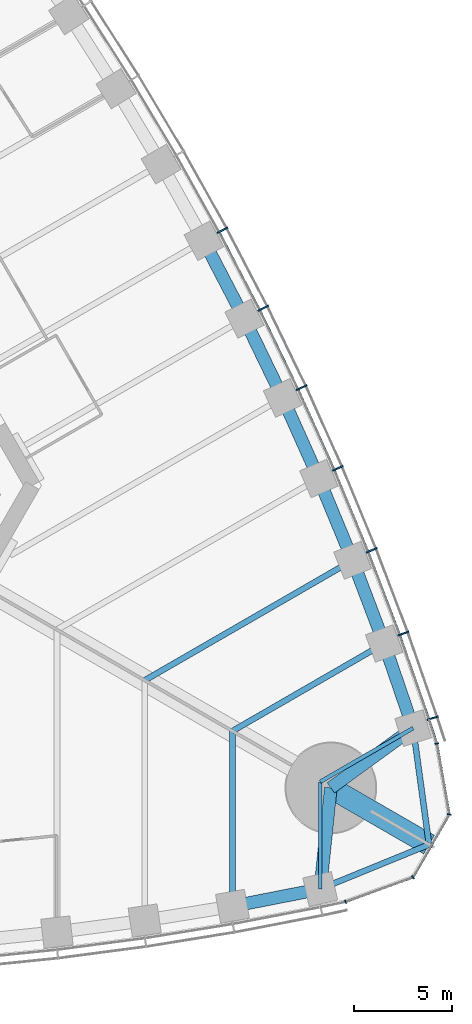
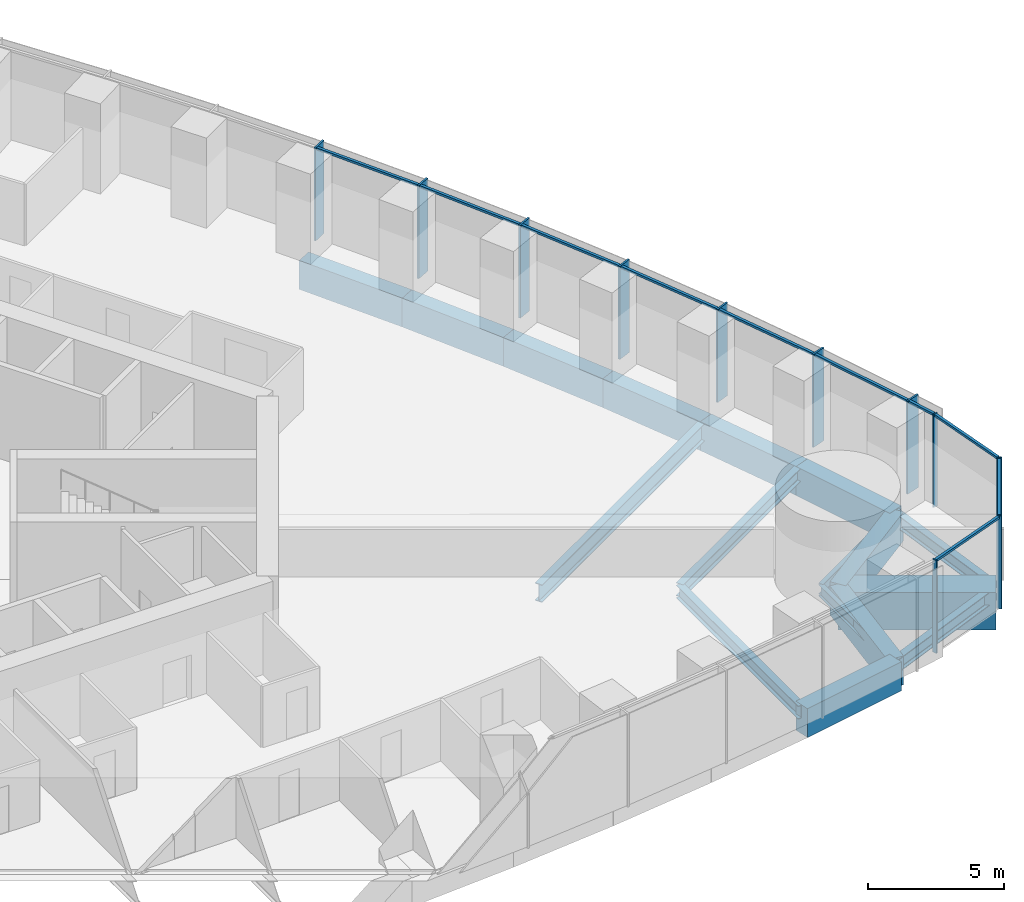
# One storey, part 6 of 18: 21 members, 17 beams, 2 elements without a shape of their own.
"""IFC4 building model written with IfcOpenShell, lengths in metres."""

from ifc_helpers import new_model, si_unit, direction, frame, origin, origin_2d, place, context, subcontext, project, spatial, rectangle, i_section, extrude, material, material_profile, profile_set, type_object, element, aggregate, save


model = new_model("IFC4")

# Units and contexts
model_context = context("Model", 3, precision=1e-05, world=origin(), true_north=direction((0.0, 1.0)))
body_context = subcontext(model_context, "Body", "Model", "MODEL_VIEW")
ifc_project = project(units=[si_unit("LENGTHUNIT", "METRE"), si_unit("AREAUNIT", "SQUARE_METRE"), si_unit("VOLUMEUNIT", "CUBIC_METRE"), si_unit("PLANEANGLEUNIT", "RADIAN"), si_unit("MASSUNIT", "GRAM", prefix="KILO")], contexts=[model_context])

# Site, building, storey
site_placement = place(None, origin())
site = spatial("IfcSite", under=ifc_project, at=site_placement, CompositionType="ELEMENT")
building_placement = place(site_placement, origin())
building = spatial("IfcBuilding", under=site, at=building_placement, Name="Trefoil Bronze Tower", CompositionType="ELEMENT")
storey_placement = place(building_placement, frame((0.0, 0.0, 24.89990234375)))
storey = spatial("IfcBuildingStorey", under=building, at=storey_placement, Name="L05", CompositionType="ELEMENT", Elevation=24.89990234375)

# Curtain wall, members
ifc_material_1 = material(Name="Tinted solar-control glass", Category="glass")
curtain_wall_type_1 = type_object("IfcCurtainWallType", Name="Bronze office curtain wall", PredefinedType="USERDEFINED", material=ifc_material_1)
curtain_wall_1_placement = place(storey_placement, origin())
curtain_wall_1 = element("IfcCurtainWall", 1, at=curtain_wall_1_placement, inside=storey, type_object=curtain_wall_type_1, Name="CW-A L05 F2", ObjectType="CURTAIN WALL", PredefinedType="USERDEFINED")
ifc_material_2 = material(Name="Bronze-finish aluminium", Category="aluminium")
ifc_material_profile_1 = material_profile(ifc_material_2, rectangle(XDim=0.60009765625, YDim=0.080078125, at=origin_2d()), Name="CW-A mullion")
ifc_profile_set_1 = profile_set([ifc_material_profile_1], Name="Bronze-finish aluminium")
member_type_1 = type_object("IfcMemberType", Name="Bronze office curtain wall mullion", PredefinedType="MULLION", material=ifc_profile_set_1)
member_1_placement = place(storey_placement, frame((37.265869140625, -14.92626953125, 0.0), z_axis=(0.0, 0.0, 1.0), x_axis=(-0.947850592929, -0.318715003543, 0.0)))
member_1 = element("IfcMember", 2, at=member_1_placement, type_object=member_type_1, Name="CW-A L05 F2 mullion 2", PredefinedType="MULLION", context=body_context, shape_type="SweptSolid", body=[
    extrude(rectangle(XDim=0.60009765625, YDim=0.080078125, at=origin_2d()), origin(), (0.0, 0.0, 1.0), 4.18017578125),
])
member_2_placement = place(storey_placement, frame((35.761962890625, -10.590087890625, 0.0), z_axis=(0.0, 0.0, 1.0), x_axis=(-0.939860248316, -0.341559238839, 0.0)))
member_2 = element("IfcMember", 3, at=member_2_placement, type_object=member_type_1, Name="CW-A L05 F2 mullion 3", PredefinedType="MULLION", context=body_context, shape_type="SweptSolid", body=[
    extrude(rectangle(XDim=0.60009765625, YDim=0.080078125, at=origin_2d()), origin(), (0.0, 0.0, 1.0), 4.18017578125),
])
member_3_placement = place(storey_placement, frame((34.138916015625, -6.32080078125, 0.0), z_axis=(0.0, 0.0, 1.0), x_axis=(-0.929413605838, -0.369039766534, 0.0)))
member_3 = element("IfcMember", 4, at=member_3_placement, type_object=member_type_1, Name="CW-A L05 F2 mullion 4", PredefinedType="MULLION", context=body_context, shape_type="SweptSolid", body=[
    extrude(rectangle(XDim=0.60009765625, YDim=0.080078125, at=origin_2d()), origin(), (0.0, 0.0, 1.0), 4.18017578125),
])
member_4_placement = place(storey_placement, frame((32.39892578125, -2.119384765625, 0.0), z_axis=(0.0, 0.0, 1.0), x_axis=(-0.918213748442, -0.396085233469, 0.0)))
member_4 = element("IfcMember", 5, at=member_4_placement, type_object=member_type_1, Name="CW-A L05 F2 mullion 5", PredefinedType="MULLION", context=body_context, shape_type="SweptSolid", body=[
    extrude(rectangle(XDim=0.60009765625, YDim=0.080078125, at=origin_2d()), origin(), (0.0, 0.0, 1.0), 4.18017578125),
])
member_5_placement = place(storey_placement, frame((30.543212890625, 2.015380859375, 0.0), z_axis=(0.0, 0.0, 1.0), x_axis=(-0.906269346572, -0.422700687798, 0.0)))
member_5 = element("IfcMember", 6, at=member_5_placement, type_object=member_type_1, Name="CW-A L05 F2 mullion 6", PredefinedType="MULLION", context=body_context, shape_type="SweptSolid", body=[
    extrude(rectangle(XDim=0.60009765625, YDim=0.080078125, at=origin_2d()), origin(), (0.0, 0.0, 1.0), 4.18017578125),
])
member_6_placement = place(storey_placement, frame((28.57275390625, 6.084228515625, 0.0), z_axis=(0.0, 0.0, 1.0), x_axis=(-0.893587025891, -0.448889994497, 0.0)))
member_6 = element("IfcMember", 7, at=member_6_placement, type_object=member_type_1, Name="CW-A L05 F2 mullion 7", PredefinedType="MULLION", context=body_context, shape_type="SweptSolid", body=[
    extrude(rectangle(XDim=0.60009765625, YDim=0.080078125, at=origin_2d()), origin(), (0.0, 0.0, 1.0), 4.18017578125),
])
member_7_placement = place(storey_placement, frame((26.488525390625, 10.0869140625, 0.0), z_axis=(0.0, 0.0, 1.0), x_axis=(-0.880171454588, -0.474655886437, 0.0)))
member_7 = element("IfcMember", 8, at=member_7_placement, type_object=member_type_1, Name="CW-A L05 F2 mullion 8", PredefinedType="MULLION", context=body_context, shape_type="SweptSolid", body=[
    extrude(rectangle(XDim=0.60009765625, YDim=0.080078125, at=origin_2d()), origin(), (0.0, 0.0, 1.0), 4.18017578125),
])
ifc_material_3 = material(Name="Bronze-finish aluminium", Category="aluminium")
ifc_material_profile_2 = material_profile(ifc_material_3, rectangle(XDim=0.1201171875, YDim=0.10009765625, at=origin_2d()), Name="CW-A transom")
ifc_profile_set_2 = profile_set([ifc_material_profile_2], Name="Bronze-finish aluminium")
member_type_2 = type_object("IfcMemberType", Name="Bronze office curtain wall transom", PredefinedType="USERDEFINED", material=ifc_profile_set_2)
member_8_placement = place(storey_placement, frame((37.4638671875, -16.1796875, 4.130126953125), z_axis=(-0.309624219148, 0.950859002648, 0.0), x_axis=(-0.950859002648, -0.309624219148, 0.0)))
member_8 = element("IfcMember", 9, at=member_8_placement, type_object=member_type_2, Name="CW-A L05 F2 transom 1", ObjectType="TRANSOM", PredefinedType="USERDEFINED", context=body_context, shape_type="SweptSolid", body=[
    extrude(rectangle(XDim=0.1201171875, YDim=0.10009765625, at=origin_2d()), origin(), (0.0, 0.0, 1.0), 1.21044921875),
])
member_9_placement = place(storey_placement, frame((37.06298828125, -14.951171875, 4.130126953125), z_axis=(-0.327689728493, 0.944785394595, 0.0), x_axis=(-0.944785394595, -0.327689728493, 0.0)))
member_9 = element("IfcMember", 10, at=member_9_placement, type_object=member_type_2, Name="CW-A L05 F2 transom 2", ObjectType="TRANSOM", PredefinedType="USERDEFINED", context=body_context, shape_type="SweptSolid", body=[
    extrude(rectangle(XDim=0.1201171875, YDim=0.10009765625, at=origin_2d()), origin(), (0.0, 0.0, 1.0), 4.502197265625),
])
member_10_placement = place(storey_placement, frame((35.559326171875, -10.61962890625, 4.130126953125), z_axis=(-0.355367327392, 0.934726731522, 0.0), x_axis=(-0.934726731522, -0.355367327392, 0.0)))
member_10 = element("IfcMember", 11, at=member_10_placement, type_object=member_type_2, Name="CW-A L05 F2 transom 3", ObjectType="TRANSOM", PredefinedType="USERDEFINED", context=body_context, shape_type="SweptSolid", body=[
    extrude(rectangle(XDim=0.1201171875, YDim=0.10009765625, at=origin_2d()), origin(), (0.0, 0.0, 1.0), 4.478515625),
])
member_11_placement = place(storey_placement, frame((33.937255859375, -6.3564453125, 4.130126953125), z_axis=(-0.382616149417, 0.923907399151, 0.0), x_axis=(-0.923907399151, -0.382616149417, 0.0)))
member_11 = element("IfcMember", 12, at=member_11_placement, type_object=member_type_2, Name="CW-A L05 F2 transom 4", ObjectType="TRANSOM", PredefinedType="USERDEFINED", context=body_context, shape_type="SweptSolid", body=[
    extrude(rectangle(XDim=0.1201171875, YDim=0.10009765625, at=origin_2d()), origin(), (0.0, 0.0, 1.0), 4.458984375),
])
member_12_placement = place(storey_placement, frame((32.1982421875, -2.16064453125, 4.130126953125), z_axis=(-0.409459746452, 0.912328184392, 0.0), x_axis=(-0.912328184392, -0.409459746452, 0.0)))
member_12 = element("IfcMember", 13, at=member_12_placement, type_object=member_type_2, Name="CW-A L05 F2 transom 5", ObjectType="TRANSOM", PredefinedType="USERDEFINED", context=body_context, shape_type="SweptSolid", body=[
    extrude(rectangle(XDim=0.1201171875, YDim=0.10009765625, at=origin_2d()), origin(), (0.0, 0.0, 1.0), 4.443359375),
])
member_13_placement = place(storey_placement, frame((30.34375, 1.96826171875, 4.130126953125), z_axis=(-0.435851763293, 0.900018466719, 0.0), x_axis=(-0.900018466719, -0.435851763293, 0.0)))
member_13 = element("IfcMember", 14, at=member_13_placement, type_object=member_type_2, Name="CW-A L05 F2 transom 6", ObjectType="TRANSOM", PredefinedType="USERDEFINED", context=body_context, shape_type="SweptSolid", body=[
    extrude(rectangle(XDim=0.1201171875, YDim=0.10009765625, at=origin_2d()), origin(), (0.0, 0.0, 1.0), 4.431884765625),
])
member_14_placement = place(storey_placement, frame((28.375, 6.031005859375, 4.130126953125), z_axis=(-0.461809621225, 0.886979071762, 0.0), x_axis=(-0.886979071762, -0.461809621225, 0.0)))
member_14 = element("IfcMember", 15, at=member_14_placement, type_object=member_type_2, Name="CW-A L05 F2 transom 7", ObjectType="TRANSOM", PredefinedType="USERDEFINED", context=body_context, shape_type="SweptSolid", body=[
    extrude(rectangle(XDim=0.1201171875, YDim=0.10009765625, at=origin_2d()), origin(), (0.0, 0.0, 1.0), 4.42431640625),
])
aggregate(curtain_wall_1, [member_1, member_2, member_3, member_4, member_5, member_6, member_7, member_8, member_9, member_10, member_11, member_12, member_13, member_14])

ifc_material_4 = material(Name="Tinted solar-control glass", Category="glass")
curtain_wall_type_2 = type_object("IfcCurtainWallType", Name="Bronze rounded corner curtain wall", PredefinedType="USERDEFINED", material=ifc_material_4)
curtain_wall_2_placement = place(storey_placement, origin())
curtain_wall_2 = element("IfcCurtainWall", 16, at=curtain_wall_2_placement, inside=storey, type_object=curtain_wall_type_2, Name="CW-B L05 K1", ObjectType="CURTAIN WALL", PredefinedType="USERDEFINED")
ifc_material_5 = material(Name="Bronze-finish aluminium", Category="aluminium")
ifc_material_profile_3 = material_profile(ifc_material_5, rectangle(XDim=0.199951171875, YDim=0.06005859375, at=origin_2d()), Name="CW-B mullion")
ifc_profile_set_3 = profile_set([ifc_material_profile_3], Name="Bronze-finish aluminium")
member_type_3 = type_object("IfcMemberType", Name="Bronze rounded corner curtain wall mullion", PredefinedType="MULLION", material=ifc_profile_set_3)
member_15_placement = place(storey_placement, frame((32.796630859375, -24.3427734375, 0.0), z_axis=(0.0, 0.0, 1.0), x_axis=(-0.342020143326, 0.939692620786, 0.0)))
member_15 = element("IfcMember", 17, at=member_15_placement, type_object=member_type_3, Name="CW-B L05 K1 mullion 1", PredefinedType="MULLION", context=body_context, shape_type="SweptSolid", body=[
    extrude(rectangle(XDim=0.199951171875, YDim=0.06005859375, at=origin_2d()), origin(), (0.0, 0.0, 1.0), 4.18017578125),
])
member_16_placement = place(storey_placement, frame((36.2548828125, -23.07763671875, 0.0), z_axis=(0.0, 0.0, 1.0), x_axis=(-0.642787609687, 0.766044443119, 0.0)))
member_16 = element("IfcMember", 18, at=member_16_placement, type_object=member_type_3, Name="CW-B L05 K1 mullion 2", PredefinedType="MULLION", context=body_context, shape_type="SweptSolid", body=[
    extrude(rectangle(XDim=0.199951171875, YDim=0.06005859375, at=origin_2d()), origin(), (0.0, 0.0, 1.0), 4.18017578125),
])
member_17_placement = place(storey_placement, frame((38.11328125, -19.85888671875, 0.0), z_axis=(0.0, 0.0, 1.0), x_axis=(-0.984807753012, 0.173648177667, 0.0)))
member_17 = element("IfcMember", 19, at=member_17_placement, type_object=member_type_3, Name="CW-B L05 K1 mullion 3", PredefinedType="MULLION", context=body_context, shape_type="SweptSolid", body=[
    extrude(rectangle(XDim=0.199951171875, YDim=0.06005859375, at=origin_2d()), origin(), (0.0, 0.0, 1.0), 4.18017578125),
])
member_18_placement = place(storey_placement, frame((37.479736328125, -16.2314453125, 0.0), z_axis=(0.0, 0.0, 1.0), x_axis=(-0.984807753012, -0.173648177667, 0.0)))
member_18 = element("IfcMember", 20, at=member_18_placement, type_object=member_type_3, Name="CW-B L05 K1 mullion 4", PredefinedType="MULLION", context=body_context, shape_type="SweptSolid", body=[
    extrude(rectangle(XDim=0.199951171875, YDim=0.06005859375, at=origin_2d()), origin(), (0.0, 0.0, 1.0), 4.18017578125),
])
ifc_material_6 = material(Name="Bronze-finish aluminium", Category="aluminium")
ifc_material_profile_4 = material_profile(ifc_material_6, rectangle(XDim=0.1201171875, YDim=0.10009765625, at=origin_2d()), Name="CW-B transom")
ifc_profile_set_4 = profile_set([ifc_material_profile_4], Name="Bronze-finish aluminium")
member_type_4 = type_object("IfcMemberType", Name="Bronze rounded corner curtain wall transom", PredefinedType="USERDEFINED", material=ifc_profile_set_4)
member_19_placement = place(storey_placement, frame((32.82470703125, -24.33251953125, 4.130126953125), z_axis=(0.939688092095, 0.342032585545, 0.0), x_axis=(-0.342032585545, 0.939688092095, 0.0)))
member_19 = element("IfcMember", 21, at=member_19_placement, type_object=member_type_4, Name="CW-B L05 K1 transom 1", ObjectType="TRANSOM", PredefinedType="USERDEFINED", context=body_context, shape_type="SweptSolid", body=[
    extrude(rectangle(XDim=0.1201171875, YDim=0.10009765625, at=origin_2d()), origin(), (0.0, 0.0, 1.0), 3.588134765625),
])
member_20_placement = place(storey_placement, frame((36.292236328125, -23.02490234375, 4.130126953125), z_axis=(0.500024788772, 0.866011091507, 0.0), x_axis=(-0.866011091507, 0.500024788772, 0.0)))
member_20 = element("IfcMember", 22, at=member_20_placement, type_object=member_type_4, Name="CW-B L05 K1 transom 2", ObjectType="TRANSOM", PredefinedType="USERDEFINED", context=body_context, shape_type="SweptSolid", body=[
    extrude(rectangle(XDim=0.1201171875, YDim=0.10009765625, at=origin_2d()), origin(), (0.0, 0.0, 1.0), 3.588134765625),
])
member_21_placement = place(storey_placement, frame((38.10791015625, -19.794677734375, 4.130126953125), z_axis=(-0.17363783606, 0.984809576461, 0.0), x_axis=(-0.984809576461, -0.17363783606, 0.0)))
member_21 = element("IfcMember", 23, at=member_21_placement, type_object=member_type_4, Name="CW-B L05 K1 transom 3", ObjectType="TRANSOM", PredefinedType="USERDEFINED", context=body_context, shape_type="SweptSolid", body=[
    extrude(rectangle(XDim=0.1201171875, YDim=0.10009765625, at=origin_2d()), origin(), (0.0, 0.0, 1.0), 3.588134765625),
])
aggregate(curtain_wall_2, [member_15, member_16, member_17, member_18, member_19, member_20, member_21])

# Beams
ifc_material_7 = material(Name="Concrete B80", Category="concrete")
ifc_material_profile_5 = material_profile(ifc_material_7, rectangle(XDim=1.10009765625, YDim=1.699951171875, at=origin_2d()), Name="RC 1100x1700")
ifc_profile_set_5 = profile_set([ifc_material_profile_5], Name="Concrete B80")
beam_type_1 = type_object("IfcBeamType", Name="Corner cantilever RC 1100x1700", PredefinedType="BEAM", material=ifc_profile_set_5)
beam_1_placement = place(storey_placement, frame((32.04296875, -18.5, -1.0498046875), z_axis=(0.866030348588, -0.499991435252, 0.0), x_axis=(0.499991435252, 0.866030348588, 0.0)))
element("IfcBeam", 24, at=beam_1_placement, inside=storey, type_object=beam_type_1, Name="Corner cantilever K1 L05", PredefinedType="BEAM", context=body_context, shape_type="SweptSolid", body=[
    extrude(rectangle(XDim=1.10009765625, YDim=1.699951171875, at=origin_2d()), origin(), (0.0, 0.0, 1.0), 5.81396484375),
])
ifc_material_8 = material(Name="Steel C355", Category="steel")
ifc_material_profile_6 = material_profile(ifc_material_8, i_section(OverallWidth=0.300048828125, OverallDepth=0.60009765625, WebThickness=0.015380859375, FlangeThickness=0.030029296875, FilletRadius=0.027099609375, at=origin_2d()), Name="HEB 600")
ifc_profile_set_6 = profile_set([ifc_material_profile_6], Name="Steel C355")
beam_type_2 = type_object("IfcBeamType", Name="Corner edge beam HEB 600", PredefinedType="BEAM", material=ifc_profile_set_6)
beam_2_placement = place(storey_placement, frame((31.5, -23.684814453125, -0.5), z_axis=(0.925786874353, 0.378045848114, 0.0), x_axis=(-0.378045848114, 0.925786874353, 0.0)))
element("IfcBeam", 25, at=beam_2_placement, inside=storey, type_object=beam_type_2, Name="Corner edge beam F1A L05", PredefinedType="BEAM", context=body_context, shape_type="SweptSolid", body=[
    extrude(i_section(OverallWidth=0.300048828125, OverallDepth=0.60009765625, WebThickness=0.015380859375, FlangeThickness=0.030029296875, FilletRadius=0.027099609375, at=origin_2d()), origin(), (0.0, 0.0, 1.0), 6.025390625),
])
beam_3_placement = place(storey_placement, frame((36.26171875, -15.4375, -0.5), z_axis=(0.13550196505, -0.990777077585, 0.0), x_axis=(0.990777077585, 0.13550196505, 0.0)))
element("IfcBeam", 26, at=beam_3_placement, inside=storey, type_object=beam_type_2, Name="Corner edge beam F2B L05", PredefinedType="BEAM", context=body_context, shape_type="SweptSolid", body=[
    extrude(i_section(OverallWidth=0.300048828125, OverallDepth=0.60009765625, WebThickness=0.015380859375, FlangeThickness=0.030029296875, FilletRadius=0.027099609375, at=origin_2d()), origin(), (0.0, 0.0, 1.0), 6.025146484375),
])
ifc_material_9 = material(Name="Concrete B80", Category="concrete")
ifc_material_profile_7 = material_profile(ifc_material_9, rectangle(XDim=0.64990234375, YDim=1.300048828125, at=origin_2d()), Name="RC 650x1300")
ifc_profile_set_7 = profile_set([ifc_material_profile_7], Name="Concrete B80")
beam_type_3 = type_object("IfcBeamType", Name="End spandrel beam RC 650x1300", PredefinedType="SPANDREL", material=ifc_profile_set_7)
for number, where, z_axis, x_axis, name in (
    (27, (31.5, -23.684814453125, -0.849853515625), (0.104153327908, 0.994561252154, 0.0), (-0.994561252154, 0.104153327908, 0.0), "Spandrel F1.16 L05"),
    (28, (32.04296875, -18.5, -0.849853515625), (0.809254211267, 0.587458612624, 0.0), (-0.587458612624, 0.809254211267, 0.0), "Spandrel F2.1 L05"),
):
    element("IfcBeam", number, at=place(storey_placement, frame(where, z_axis=z_axis, x_axis=x_axis)), inside=storey, type_object=beam_type_3, Name=name, PredefinedType="SPANDREL", context=body_context, shape_type="SweptSolid", body=[
        extrude(rectangle(XDim=0.64990234375, YDim=1.300048828125, at=origin_2d()), origin(), (0.0, 0.0, 1.0), 5.213134765625),
    ])
ifc_material_10 = material(Name="Steel C355", Category="steel")
ifc_material_profile_8 = material_profile(ifc_material_10, i_section(OverallWidth=0.300048828125, OverallDepth=0.590087890625, WebThickness=0.012939453125, FlangeThickness=0.02490234375, FilletRadius=0.027099609375, at=origin_2d()), Name="HEA 600")
ifc_profile_set_8 = profile_set([ifc_material_profile_8], Name="Steel C355")
beam_type_4 = type_object("IfcBeamType", Name="Floor beam HEA 600", PredefinedType="BEAM", material=ifc_profile_set_8)
for number, where, z_axis, x_axis, name in (
    (29, (27.0, -24.56787109375, -0.494873046875), (0.0, 1.0, 0.0), (-1.0, 0.0, 0.0), "Floor beam F1/+6 L05"),
    (30, (34.7763671875, -11.0986328125, -0.494873046875), (-0.866022587327, -0.500004878216, 0.0), (0.500004878216, -0.866022587327, 0.0), "Floor beam F2/-6 L05"),
):
    element("IfcBeam", number, at=place(storey_placement, frame(where, z_axis=z_axis, x_axis=x_axis)), inside=storey, type_object=beam_type_4, Name=name, PredefinedType="BEAM", context=body_context, shape_type="SweptSolid", body=[
        extrude(i_section(OverallWidth=0.300048828125, OverallDepth=0.590087890625, WebThickness=0.012939453125, FlangeThickness=0.02490234375, FilletRadius=0.027099609375, at=origin_2d()), origin(), (0.0, 0.0, 1.0), 8.9794921875),
    ])
ifc_material_11 = material(Name="Steel C355", Category="steel")
ifc_material_profile_9 = material_profile(ifc_material_11, i_section(OverallWidth=0.300048828125, OverallDepth=0.800048828125, WebThickness=0.017578125, FlangeThickness=0.032958984375, FilletRadius=0.030029296875, at=origin_2d()), Name="HEB 800")
ifc_profile_set_9 = profile_set([ifc_material_profile_9], Name="Steel C355")
beam_type_5 = type_object("IfcBeamType", Name="Floor beam HEB 800", PredefinedType="BEAM", material=ifc_profile_set_9)
beam_4_placement = place(storey_placement, frame((33.159912109375, -6.8359375, -0.599853515625), z_axis=(-0.866024070878, -0.500002308654, 0.0), x_axis=(0.500002308654, -0.866024070878, 0.0)))
element("IfcBeam", 31, at=beam_4_placement, inside=storey, type_object=beam_type_5, Name="Floor beam F2/-5 L05", PredefinedType="BEAM", context=body_context, shape_type="SweptSolid", body=[
    extrude(i_section(OverallWidth=0.300048828125, OverallDepth=0.800048828125, WebThickness=0.017578125, FlangeThickness=0.032958984375, FilletRadius=0.030029296875, at=origin_2d()), origin(), (0.0, 0.0, 1.0), 12.30908203125),
])
ifc_material_12 = material(Name="Steel C355", Category="steel")
ifc_material_profile_10 = material_profile(ifc_material_12, i_section(OverallWidth=0.199951171875, OverallDepth=0.5, WebThickness=0.01025390625, FlangeThickness=0.01611328125, FilletRadius=0.02099609375, at=origin_2d()), Name="IPE 500")
ifc_profile_set_10 = profile_set([ifc_material_profile_10], Name="Steel C355")
beam_type_6 = type_object("IfcBeamType", Name="Floor beam IPE 500", PredefinedType="BEAM", material=ifc_profile_set_10)
for number, where, z_axis, x_axis, name in (
    (32, (31.5, -23.684814453125, -0.449951171875), (0.0, 1.0, 0.0), (-1.0, 0.0, 0.0), "Floor beam F1/+7 L05"),
    (33, (36.26171875, -15.4375, -0.449951171875), (-0.866037702141, -0.499978698016, 0.0), (0.499978698016, -0.866037702141, 0.0), "Floor beam F2/-7 L05"),
):
    element("IfcBeam", number, at=place(storey_placement, frame(where, z_axis=z_axis, x_axis=x_axis)), inside=storey, type_object=beam_type_6, Name=name, PredefinedType="BEAM", context=body_context, shape_type="SweptSolid", body=[
        extrude(i_section(OverallWidth=0.199951171875, OverallDepth=0.5, WebThickness=0.01025390625, FlangeThickness=0.01611328125, FilletRadius=0.02099609375, at=origin_2d()), origin(), (0.0, 0.0, 1.0), 5.498291015625),
    ])
ifc_material_13 = material(Name="Concrete B80", Category="concrete")
ifc_material_profile_11 = material_profile(ifc_material_13, rectangle(XDim=0.64990234375, YDim=1.300048828125, at=origin_2d()), Name="RC 650x1300")
ifc_profile_set_11 = profile_set([ifc_material_profile_11], Name="Concrete B80")
beam_type_7 = type_object("IfcBeamType", Name="Spandrel beam RC 650x1300", PredefinedType="SPANDREL", material=ifc_profile_set_11)
beam_5_placement = place(storey_placement, frame((27.0, -24.56787109375, -0.849853515625), z_axis=(0.981284764092, 0.192562228283, 0.0), x_axis=(-0.192562228283, 0.981284764092, 0.0)))
element("IfcBeam", 34, at=beam_5_placement, inside=storey, type_object=beam_type_7, Name="Spandrel F1.15 L05", PredefinedType="SPANDREL", context=body_context, shape_type="SweptSolid", body=[
    extrude(rectangle(XDim=0.64990234375, YDim=1.300048828125, at=origin_2d()), origin(), (0.0, 0.0, 1.0), 4.5859375),
])
beam_6_placement = place(storey_placement, frame((36.26171875, -15.4375, -0.849853515625), z_axis=(-0.323883319148, 0.946097032855, 0.0), x_axis=(-0.946097032855, -0.323883319148, 0.0)))
element("IfcBeam", 35, at=beam_6_placement, inside=storey, type_object=beam_type_7, Name="Spandrel F2.2 L05", PredefinedType="SPANDREL", context=body_context, shape_type="SweptSolid", body=[
    extrude(rectangle(XDim=0.64990234375, YDim=1.300048828125, at=origin_2d()), origin(), (0.0, 0.0, 1.0), 4.586181640625),
])
beam_7_placement = place(storey_placement, frame((34.7763671875, -11.0986328125, -0.849853515625), z_axis=(-0.354571899767, 0.935028752443, 0.0), x_axis=(-0.935028752443, -0.354571899767, 0.0)))
element("IfcBeam", 36, at=beam_7_placement, inside=storey, type_object=beam_type_7, Name="Spandrel F2.3 L05", PredefinedType="SPANDREL", context=body_context, shape_type="SweptSolid", body=[
    extrude(rectangle(XDim=0.64990234375, YDim=1.300048828125, at=origin_2d()), origin(), (0.0, 0.0, 1.0), 4.558837890625),
])
beam_8_placement = place(storey_placement, frame((33.159912109375, -6.8359375, -0.849853515625), z_axis=(-0.382020825144, 0.924153715113, 0.0), x_axis=(-0.924153715113, -0.382020825144, 0.0)))
element("IfcBeam", 37, at=beam_8_placement, inside=storey, type_object=beam_type_7, Name="Spandrel F2.4 L05", PredefinedType="SPANDREL", context=body_context, shape_type="SweptSolid", body=[
    extrude(rectangle(XDim=0.64990234375, YDim=1.300048828125, at=origin_2d()), origin(), (0.0, 0.0, 1.0), 4.539306640625),
])
beam_9_placement = place(storey_placement, frame((31.42578125, -2.640869140625, -0.849853515625), z_axis=(-0.408945873044, 0.912558640812, 0.0), x_axis=(-0.912558640812, -0.408945873044, 0.0)))
element("IfcBeam", 38, at=beam_9_placement, inside=storey, type_object=beam_type_7, Name="Spandrel F2.5 L05", PredefinedType="SPANDREL", context=body_context, shape_type="SweptSolid", body=[
    extrude(rectangle(XDim=0.64990234375, YDim=1.300048828125, at=origin_2d()), origin(), (0.0, 0.0, 1.0), 4.5234375),
])
beam_10_placement = place(storey_placement, frame((29.575927734375, 1.487060546875, -0.849853515625), z_axis=(-0.435510013583, 0.900183885697, 0.0), x_axis=(-0.900183885697, -0.435510013583, 0.0)))
element("IfcBeam", 39, at=beam_10_placement, inside=storey, type_object=beam_type_7, Name="Spandrel F2.6 L05", PredefinedType="SPANDREL", context=body_context, shape_type="SweptSolid", body=[
    extrude(rectangle(XDim=0.64990234375, YDim=1.300048828125, at=origin_2d()), origin(), (0.0, 0.0, 1.0), 4.51220703125),
])
beam_11_placement = place(storey_placement, frame((27.61083984375, 5.548828125, -0.849853515625), z_axis=(-0.461637716615, 0.887068553495, 0.0), x_axis=(-0.887068553495, -0.461637716615, 0.0)))
element("IfcBeam", 40, at=beam_11_placement, inside=storey, type_object=beam_type_7, Name="Spandrel F2.7 L05", PredefinedType="SPANDREL", context=body_context, shape_type="SweptSolid", body=[
    extrude(rectangle(XDim=0.64990234375, YDim=1.300048828125, at=origin_2d()), origin(), (0.0, 0.0, 1.0), 4.50439453125),
])

save(model, "model.ifc")
